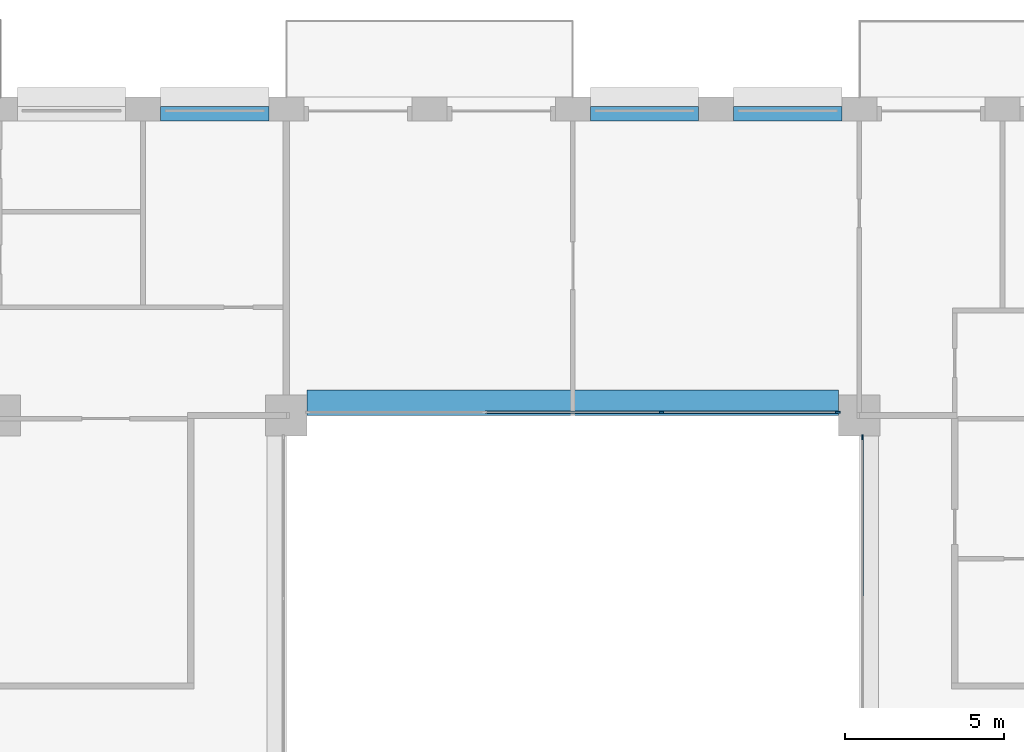
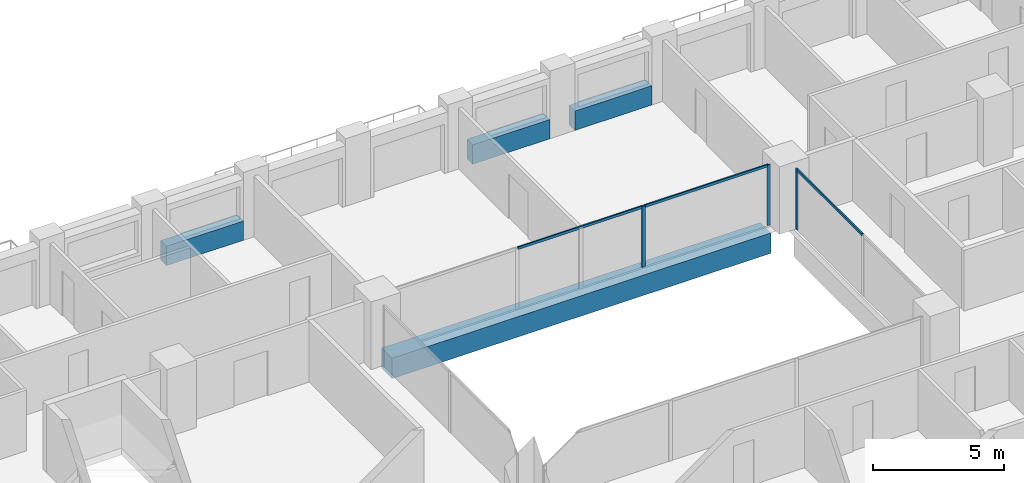
# One storey, part 6 of 16: 6 members, 4 beams, 2 elements without a shape of their own.
"""IFC4 building model written with IfcOpenShell, lengths in metres."""

import ifcopenshell
import ifcopenshell.guid

model = None  # the IFC model being written
_history = None  # IfcOwnerHistory: only IFC2X3 demands one
_inside = {}  # id of a spatial element -> (the spatial element, [elements in it])
_under = {}  # id of a project, library or spatial element -> (it, [spatial elements below it])
_declared = {}  # id of a project -> (the project, [libraries it declares])
_typed = {}  # id of a type object -> (the type object, [elements of that type])
_made_of = {}  # id of a material, layer set ... -> (it, [elements and type objects made of it])


def new_model(schema):
    """Start an empty IFC model of exactly this schema.

    Asked for "IFC4X3", IfcOpenShell would pick the latest addendum, in which some entities
    have other attributes; the version numbers below select the first issue.
    IFC2X3 requires an IfcOwnerHistory on every rooted entity: one is made here for all.
    """
    global model, _history
    if schema == "IFC4X3":
        model = ifcopenshell.file(schema_version=(4, 3, 0, 0))
    else:
        model = ifcopenshell.file(schema=schema)
    _inside.clear()
    _under.clear()
    _declared.clear()
    _typed.clear()
    _made_of.clear()
    _history = None
    if model.schema == "IFC2X3":
        org = make("IfcOrganization", Name="unknown")
        user = make(
            "IfcPersonAndOrganization",
            ThePerson=make("IfcPerson", FamilyName="unknown"),
            TheOrganization=org,
        )
        app = make(
            "IfcApplication",
            ApplicationDeveloper=org,
            Version="unknown",
            ApplicationFullName="unknown",
            ApplicationIdentifier="unknown",
        )
        _history = make(
            "IfcOwnerHistory",
            OwningUser=user,
            OwningApplication=app,
            ChangeAction="ADDED",
            CreationDate=0,
        )
    return model


def make(cls, **values):
    """One entity of the class cls with the attributes given. An attribute that is None is left unset."""
    return model.create_entity(
        cls, **{name: value for name, value in values.items() if value is not None}
    )


def rooted(cls, **values):
    """An entity with a GlobalId (a new one), such as an element, a storey or a relation."""
    return make(cls, GlobalId=ifcopenshell.guid.new(), OwnerHistory=_history, **values)


def si_unit(unit_type, name, prefix=None):
    """IfcSIUnit, for example si_unit("LENGTHUNIT", "METRE", prefix="MILLI")."""
    return make("IfcSIUnit", UnitType=unit_type, Prefix=prefix, Name=name)


def assignment(units):
    """IfcUnitAssignment: the units of a project."""
    return None if units is None else make("IfcUnitAssignment", Units=units)


def point(xyz):
    """IfcCartesianPoint."""
    return None if xyz is None else make("IfcCartesianPoint", Coordinates=xyz)


def direction(xyz):
    """IfcDirection."""
    return None if xyz is None else make("IfcDirection", DirectionRatios=xyz)


def frame(location, z_axis=None, x_axis=None):
    """IfcAxis2Placement3D, a coordinate frame: its origin and axes. An axis left out is left unset."""
    return make(
        "IfcAxis2Placement3D",
        Location=point(location),
        Axis=direction(z_axis),
        RefDirection=direction(x_axis),
    )


def frame_2d(location, x_axis=None):
    """IfcAxis2Placement2D, a coordinate frame in the plane: its origin and x axis."""
    return make(
        "IfcAxis2Placement2D", Location=point(location), RefDirection=direction(x_axis)
    )


def origin():
    """The frame at (0, 0, 0) with its axes left unset."""
    return frame((0.0, 0.0, 0.0))


def origin_2d():
    """The frame at (0, 0) in the plane with its x axis left unset."""
    return frame_2d((0.0, 0.0))


def place(relative_to, where):
    """IfcLocalPlacement: puts the frame where relative to a parent placement (None: the world)."""
    return make(
        "IfcLocalPlacement", PlacementRelTo=relative_to, RelativePlacement=where
    )


def context(
    kind, dimensions, precision=None, world=None, true_north=None, identifier=None
):
    """IfcGeometricRepresentationContext, for example the 3D "Model" context."""
    return make(
        "IfcGeometricRepresentationContext",
        ContextIdentifier=identifier,
        ContextType=kind,
        CoordinateSpaceDimension=dimensions,
        Precision=precision,
        WorldCoordinateSystem=world,
        TrueNorth=true_north,
    )


def subcontext(parent, identifier, kind, view, scale=None):
    """IfcGeometricRepresentationSubContext, for example "Body" below "Model"."""
    return make(
        "IfcGeometricRepresentationSubContext",
        ContextIdentifier=identifier,
        ContextType=kind,
        ParentContext=parent,
        TargetScale=scale,
        TargetView=view,
    )


def project(units=None, contexts=None):
    """IfcProject with its units and contexts."""
    return rooted(
        "IfcProject",
        Name="project",
        RepresentationContexts=contexts,
        UnitsInContext=assignment(units),
    )


def spatial(cls, under=None, at=None, **own):
    """A site, building, storey or space (cls), placed at a placement, below another one or the project."""
    s = rooted(cls, ObjectPlacement=at, **own)
    if under is not None:
        _under.setdefault(under.id(), (under, []))[1].append(s)
    return s


def profile(cls, at=None, kind="AREA", **sizes):
    """A parametric profile (cls). Its sizes go by their IFC names, for example OverallWidth=200.0."""
    return make(cls, ProfileType=kind, Position=at, **sizes)


def rectangle(**sizes):
    """IfcRectangleProfileDef."""
    return profile("IfcRectangleProfileDef", **sizes)


def extrude(swept, where, along, depth):
    """IfcExtrudedAreaSolid: the profile swept, set in the frame where, extruded along a direction by depth."""
    return make(
        "IfcExtrudedAreaSolid",
        SweptArea=swept,
        Position=where,
        ExtrudedDirection=direction(along),
        Depth=depth,
    )


def shape(context_of_items, identifier, shape_type, items):
    """IfcShapeRepresentation: the items that make up one representation, for example the "Body"."""
    return make(
        "IfcShapeRepresentation",
        ContextOfItems=context_of_items,
        RepresentationIdentifier=identifier,
        RepresentationType=shape_type,
        Items=items,
    )


def material(Name=None, Category=None):
    """IfcMaterial."""
    return make("IfcMaterial", Name=Name, Category=Category)


def layer(
    of_material, thickness, ventilated=None, Name=None, Category=None, Priority=None
):
    """IfcMaterialLayer: one layer of a wall or slab, of a material (None: an air gap)."""
    return make(
        "IfcMaterialLayer",
        Material=of_material,
        LayerThickness=thickness,
        IsVentilated=ventilated,
        Name=Name,
        Category=Category,
        Priority=Priority,
    )


def layer_set(layers, Name=None):
    """IfcMaterialLayerSet."""
    return make("IfcMaterialLayerSet", MaterialLayers=layers, LayerSetName=Name)


def material_profile(
    of_material, cross_section, Name=None, Category=None, Priority=None
):
    """IfcMaterialProfile: a cross section and its material."""
    return make(
        "IfcMaterialProfile",
        Name=Name,
        Material=of_material,
        Profile=cross_section,
        Priority=Priority,
        Category=Category,
    )


def profile_set(profiles, Name=None, composite=None):
    """IfcMaterialProfileSet."""
    return make(
        "IfcMaterialProfileSet",
        Name=Name,
        MaterialProfiles=profiles,
        CompositeProfile=composite,
    )


def made_of(thing, what):
    """Note that an element or type object is made of a material, layer set ...; save() writes the relation."""
    if what is not None:
        _made_of.setdefault(what.id(), (what, []))[1].append(thing)
    return thing


def type_object(cls, material=None, **own):
    """A type object (cls), such as IfcWallType, which elements share."""
    return made_of(rooted(cls, **own), material)


def element(
    cls,
    number,
    at=None,
    inside=None,
    cuts=None,
    type_object=None,
    material=None,
    context=None,
    identifier="Body",
    shape_type=None,
    held_by="IfcProductDefinitionShape",
    body=None,
    shapes=None,
    **own,
):
    """One element of the class cls, such as IfcWall. Its Tag is "e" and its number.

    at: its placement. inside: the storey or other place that contains it. cuts: it is an
    opening in that element (IfcRelVoidsElement). A single representation is given by context,
    identifier, shape_type and body (its items); several are given by shapes. held_by: the class
    of the entity that holds the representations. save() writes the other relations.
    """
    e = rooted(cls, Tag="e%d" % number, ObjectPlacement=at, **own)
    if body is not None:
        shapes = [shape(context, identifier, shape_type, body)]
    if shapes is not None:
        e.Representation = make(held_by, Representations=shapes)
    if inside is not None:
        _inside.setdefault(inside.id(), (inside, []))[1].append(e)
    if cuts is not None:
        rooted(
            "IfcRelVoidsElement", RelatingBuildingElement=cuts, RelatedOpeningElement=e
        )
    if type_object is not None:
        _typed.setdefault(type_object.id(), (type_object, []))[1].append(e)
    return made_of(e, material)


def aggregate(whole, parts):
    """IfcRelAggregates: a whole, such as a stair, and the parts it consists of."""
    return rooted("IfcRelAggregates", RelatingObject=whole, RelatedObjects=parts)


def save(model, path):
    """Write the relations noted so far, then the file.

    IfcRelAggregates (storeys below a building ...), IfcRelContainedInSpatialStructure (elements
    in a storey), IfcRelDefinesByType, IfcRelAssociatesMaterial and IfcRelDeclares: one each for
    every whole, place, type object, material and project.
    """
    for whole, parts in _under.values():
        aggregate(whole, parts)
    for where, things in _inside.values():
        rooted(
            "IfcRelContainedInSpatialStructure",
            RelatedElements=things,
            RelatingStructure=where,
        )
    for kind, things in _typed.values():
        rooted("IfcRelDefinesByType", RelatedObjects=things, RelatingType=kind)
    for what, things in _made_of.values():
        rooted("IfcRelAssociatesMaterial", RelatedObjects=things, RelatingMaterial=what)
    for by, libraries in _declared.values():
        rooted("IfcRelDeclares", RelatingContext=by, RelatedDefinitions=libraries)
    model.write(path)


model = new_model("IFC4")

# Units and contexts
model_context = context("Model", 3, precision=1e-05, world=origin(), true_north=direction((0.0, 1.0)))
body_context = subcontext(model_context, "Body", "Model", "MODEL_VIEW")
ifc_project = project(units=[si_unit("LENGTHUNIT", "METRE"), si_unit("AREAUNIT", "SQUARE_METRE"), si_unit("VOLUMEUNIT", "CUBIC_METRE"), si_unit("PLANEANGLEUNIT", "RADIAN"), si_unit("MASSUNIT", "GRAM", prefix="KILO")], contexts=[model_context])

# Site, building, storey
site_placement = place(None, origin())
site = spatial("IfcSite", under=ifc_project, at=site_placement, CompositionType="ELEMENT")
building_placement = place(site_placement, origin())
building = spatial("IfcBuilding", under=site, at=building_placement, Name="Brigalow Station Residences", CompositionType="ELEMENT")
storey_placement = place(building_placement, frame((0.0, 0.0, 86.699951171875)))
storey = spatial("IfcBuildingStorey", under=building, at=storey_placement, Name="L24", CompositionType="ELEMENT", Elevation=86.699951171875)

# Beam
ifc_material_1 = material(Name="Concrete C65", Category="concrete")
ifc_material_profile_1 = material_profile(ifc_material_1, rectangle(XDim=0.800048828125, YDim=0.949951171875, at=origin_2d()), Name="RC800x950")
ifc_profile_set_1 = profile_set([ifc_material_profile_1], Name="Concrete C65")
beam_type_1 = type_object("IfcBeamType", Name="ATRIUM EDGE GIRDER OVER 13.5 M SPAN 800x950 C65", PredefinedType="BEAM", material=ifc_profile_set_1)
beam_placement = place(storey_placement, frame((27.64990234375, 35.89990234375, -0.794921875), z_axis=(1.0, 0.0, 0.0), x_axis=(0.0, 1.0, 0.0)))
element("IfcBeam", 1, at=beam_placement, inside=storey, type_object=beam_type_1, Name="ATRIUM EDGE GIRDER D L24", PredefinedType="BEAM", context=body_context, shape_type="SweptSolid", body=[
    extrude(rectangle(XDim=0.800048828125, YDim=0.949951171875, at=origin_2d()), origin(), (0.0, 0.0, 1.0), 16.7001953125),
])

# Curtain wall, member
ifc_material_2 = material(Name="Aluminium", Category="aluminium")
ifc_layer = layer(ifc_material_2, 0.14990234375)
ifc_layer_set = layer_set([ifc_layer], Name="ATRIUM FIRE-RATED GLAZING CURTAIN WALL")
curtain_wall_type = type_object("IfcCurtainWallType", Name="ATRIUM FIRE-RATED GLAZING CURTAIN WALL", PredefinedType="NOTDEFINED", material=ifc_layer_set)
curtain_wall_1_placement = place(storey_placement, origin())
curtain_wall_1 = element("IfcCurtainWall", 2, at=curtain_wall_1_placement, inside=storey, type_object=curtain_wall_type, Name="L24/cw/atrium-E", PredefinedType="NOTDEFINED")
ifc_material_3 = material(Name="Aluminium", Category="aluminium")
ifc_material_profile_2 = material_profile(ifc_material_3, rectangle(XDim=0.06005859375, YDim=0.14990234375, at=origin_2d()), Name="ATRIUM FIRE-RATED GLAZING MULLION 60x150")
ifc_profile_set_2 = profile_set([ifc_material_profile_2], Name="Aluminium")
member_type_1 = type_object("IfcMemberType", Name="ATRIUM FIRE-RATED GLAZING MULLION 60x150", PredefinedType="MULLION", material=ifc_profile_set_2)
member_1_placement = place(storey_placement, frame((45.10009765625, 34.820068359375, 0.0), z_axis=(0.0, 0.0, 1.0), x_axis=(-1.0, 0.0, 0.0)))
member_1 = element("IfcMember", 3, at=member_1_placement, type_object=member_type_1, Name="L24/cw/atrium-E/M02", PredefinedType="MULLION", context=body_context, shape_type="SweptSolid", body=[
    extrude(rectangle(XDim=0.06005859375, YDim=0.14990234375, at=origin_2d()), origin(), (0.0, 0.0, 1.0), 2.830078125),
])

# Curtain wall, members
curtain_wall_2_placement = place(storey_placement, origin())
curtain_wall_2 = element("IfcCurtainWall", 4, at=curtain_wall_2_placement, inside=storey, type_object=curtain_wall_type, Name="L24/cw/atrium-N", PredefinedType="NOTDEFINED")
member_2_placement = place(storey_placement, frame((44.320068359375, 35.60009765625, 0.0), z_axis=(0.0, 0.0, 1.0), x_axis=(0.0, -1.0, 0.0)))
member_2 = element("IfcMember", 5, at=member_2_placement, type_object=member_type_1, Name="L24/cw/atrium-N/M00", PredefinedType="MULLION", context=body_context, shape_type="SweptSolid", body=[
    extrude(rectangle(XDim=0.06005859375, YDim=0.14990234375, at=origin_2d()), origin(), (0.0, 0.0, 1.0), 2.830078125),
])
member_3_placement = place(storey_placement, frame((38.783203125, 35.60009765625, 0.0), z_axis=(0.0, 0.0, 1.0), x_axis=(0.0, -1.0, 0.0)))
member_3 = element("IfcMember", 6, at=member_3_placement, type_object=member_type_1, Name="L24/cw/atrium-N/M01", PredefinedType="MULLION", context=body_context, shape_type="SweptSolid", body=[
    extrude(rectangle(XDim=0.06005859375, YDim=0.14990234375, at=origin_2d()), origin(), (0.0, 0.0, 1.0), 2.830078125),
])

# Member
ifc_material_4 = material(Name="Aluminium", Category="aluminium")
ifc_material_profile_3 = material_profile(ifc_material_4, rectangle(XDim=0.06005859375, YDim=0.1201171875, at=origin_2d()), Name="ATRIUM FIRE-RATED GLAZING TRANSOM 60x120")
ifc_profile_set_3 = profile_set([ifc_material_profile_3], Name="Aluminium")
member_type_2 = type_object("IfcMemberType", Name="ATRIUM FIRE-RATED GLAZING TRANSOM 60x120", PredefinedType="USERDEFINED", material=ifc_profile_set_3)
member_4_placement = place(storey_placement, frame((45.10009765625, 29.780029296875, 2.800048828125), z_axis=(0.0, 1.0, 0.0), x_axis=(-1.0, 0.0, 0.0)))
member_4 = element("IfcMember", 7, at=member_4_placement, type_object=member_type_2, Name="L24/cw/atrium-E/T01-00", ObjectType="TRANSOM", PredefinedType="USERDEFINED", context=body_context, shape_type="SweptSolid", body=[
    extrude(rectangle(XDim=0.06005859375, YDim=0.1201171875, at=origin_2d()), origin(), (0.0, 0.0, 1.0), 5.010009765625),
])

aggregate(curtain_wall_1, [member_1, member_4])

member_5_placement = place(storey_placement, frame((44.2900390625, 35.60009765625, 2.800048828125), z_axis=(-1.0, 0.0, 0.0), x_axis=(0.0, -1.0, 0.0)))
member_5 = element("IfcMember", 8, at=member_5_placement, type_object=member_type_2, Name="L24/cw/atrium-N/T00-00", ObjectType="TRANSOM", PredefinedType="USERDEFINED", context=body_context, shape_type="SweptSolid", body=[
    extrude(rectangle(XDim=0.06005859375, YDim=0.1201171875, at=origin_2d()), origin(), (0.0, 0.0, 1.0), 5.476806640625),
])

member_6_placement = place(storey_placement, frame((38.75341796875, 35.60009765625, 2.800048828125), z_axis=(-1.0, 0.0, 0.0), x_axis=(0.0, -1.0, 0.0)))
member_6 = element("IfcMember", 9, at=member_6_placement, type_object=member_type_2, Name="L24/cw/atrium-N/T01-00", ObjectType="TRANSOM", PredefinedType="USERDEFINED", context=body_context, shape_type="SweptSolid", body=[
    extrude(rectangle(XDim=0.06005859375, YDim=0.1201171875, at=origin_2d()), origin(), (0.0, 0.0, 1.0), 5.5068359375),
])

aggregate(curtain_wall_2, [member_2, member_3, member_5, member_6])

# Beams
ifc_material_5 = material(Name="Concrete C65", Category="concrete")
ifc_material_profile_4 = material_profile(ifc_material_5, rectangle(XDim=0.449951171875, YDim=0.89990234375, at=origin_2d()), Name="RC450x900")
ifc_profile_set_4 = profile_set([ifc_material_profile_4], Name="Concrete C65")
beam_type_2 = type_object("IfcBeamType", Name="SPANDREL BEAM 450x900 C65", PredefinedType="SPANDREL", material=ifc_profile_set_4)
for number, where, z_axis, x_axis, name in (
    (10, (44.449951171875, 44.97509765625, 0.449951171875), (-1.0, 0.0, 0.0), (0.0, -1.0, 0.0), "L24/spandrel/W-L24-29"),
    (11, (39.949951171875, 44.97509765625, 0.449951171875), (-1.0, 0.0, 0.0), (0.0, -1.0, 0.0), "L24/spandrel/W-L24-30"),
    (12, (26.449951171875, 44.97509765625, 0.449951171875), (-1.0, 0.0, 0.0), (0.0, -1.0, 0.0), "L24/spandrel/W-L24-33"),
):
    element("IfcBeam", number, at=place(storey_placement, frame(where, z_axis=z_axis, x_axis=x_axis)), inside=storey, type_object=beam_type_2, Name=name, PredefinedType="SPANDREL", context=body_context, shape_type="SweptSolid", body=[
        extrude(rectangle(XDim=0.449951171875, YDim=0.89990234375, at=origin_2d()), origin(), (0.0, 0.0, 1.0), 3.39990234375),
    ])

save(model, "model.ifc")
